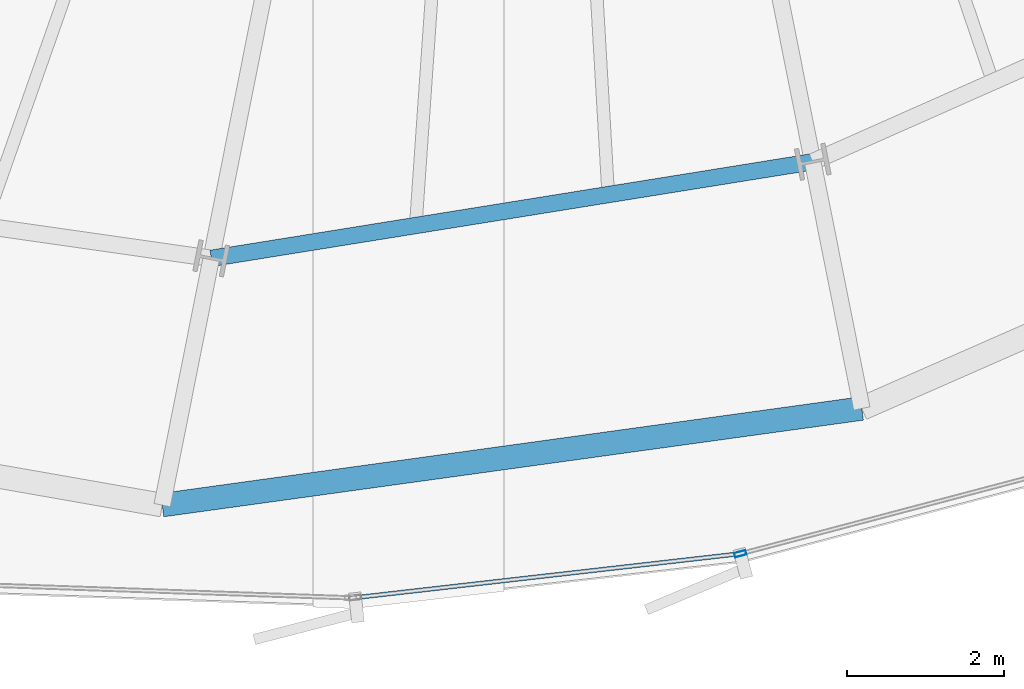
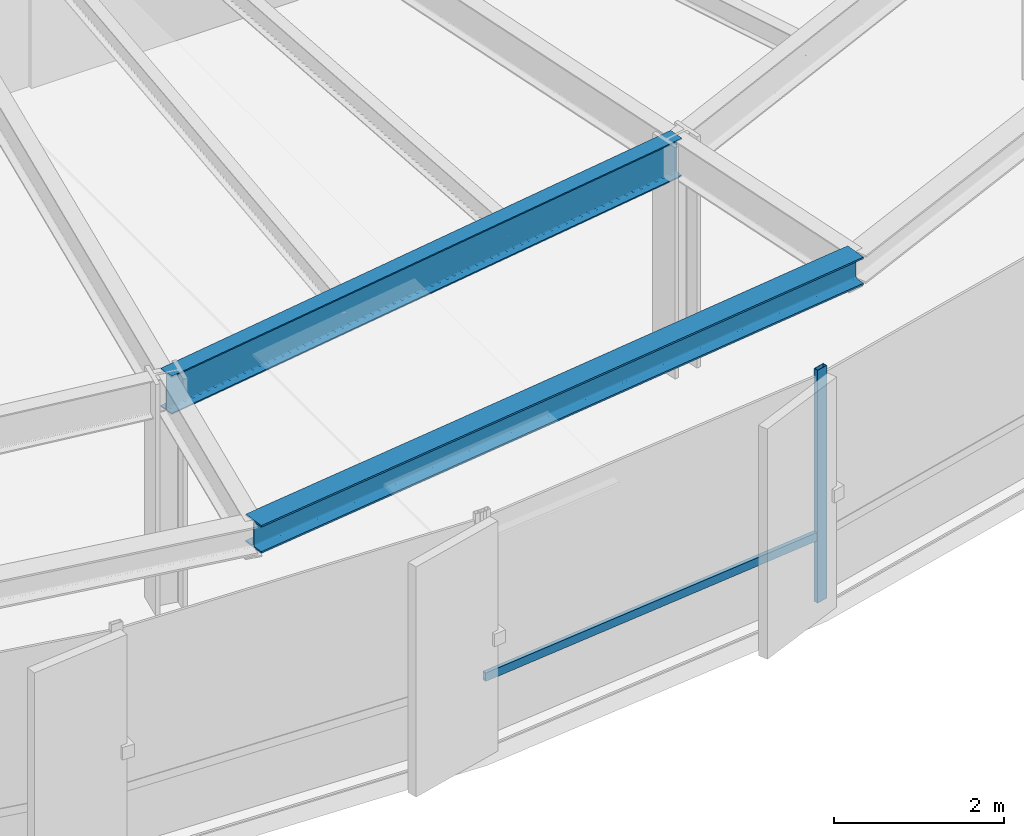
# One storey, part 6 of 33: 2 beams, 2 members, 1 element without a shape of its own.
"""IFC4 building model written with IfcOpenShell, lengths in metres."""

from ifc_helpers import new_model, si_unit, direction, frame, origin, origin_2d, place, context, subcontext, project, spatial, hollow_rectangle, i_section, extrude, source, transform, mapped, material, layer, layer_set, material_profile, profile_set, type_object, element, aggregate, save


model = new_model("IFC4")

# Units and contexts
model_context = context("Model", 3, precision=1e-05, world=origin(), true_north=direction((0.0, 1.0)))
body_context = subcontext(model_context, "Body", "Model", "MODEL_VIEW")
ifc_project = project(units=[si_unit("LENGTHUNIT", "METRE"), si_unit("AREAUNIT", "SQUARE_METRE"), si_unit("VOLUMEUNIT", "CUBIC_METRE"), si_unit("PLANEANGLEUNIT", "RADIAN"), si_unit("MASSUNIT", "GRAM", prefix="KILO"), si_unit("THERMODYNAMICTEMPERATUREUNIT", "KELVIN")], contexts=[model_context])

# Site, building, storey
site_placement = place(None, origin())
site = spatial("IfcSite", under=ifc_project, at=site_placement, CompositionType="ELEMENT")
building_placement = place(site_placement, origin())
building = spatial("IfcBuilding", under=site, at=building_placement, Name="Kethvar Cultural Tower", CompositionType="ELEMENT")
storey_placement = place(building_placement, frame((0.0, 0.0, 110.800048828125)))
storey = spatial("IfcBuildingStorey", under=building, at=storey_placement, Name="L27", CompositionType="ELEMENT", Elevation=110.800048828125)

# Beams
ifc_material_1 = material(Name="Steel S355J2", Category="steel")
ifc_material_profile_1 = material_profile(ifc_material_1, i_section(OverallWidth=0.2099609375, OverallDepth=0.550048828125, WebThickness=0.010986328125, FlangeThickness=0.01708984375, FilletRadius=0.02392578125, at=origin_2d()), Name="Steel S355J2 — IPE550")
ifc_profile_set_1 = profile_set([ifc_material_profile_1], Name="Steel S355J2 — IPE550")
beam_type_1 = type_object("IfcBeamType", Name="BM-IPE550", PredefinedType="BEAM", material=ifc_profile_set_1)
shared_shape_1 = source(origin(), body_context, "Body", "SweptSolid", [
    extrude(i_section(OverallWidth=0.2099609375, OverallDepth=0.550048828125, WebThickness=0.010986328125, FlangeThickness=0.01708984375, FilletRadius=0.02392578125, at=origin_2d()), origin(), (0.0, 0.0, 1.0), 7.749267578125),
])
beam_1_placement = place(storey_placement, frame((42.852294921875, 7.95361328125, 3.072998046875), z_axis=(0.987348257569, 0.158566762831, 0.0), x_axis=(-0.158566762831, 0.987348257569, 0.0)))
element("IfcBeam", 1, at=beam_1_placement, inside=storey, type_object=beam_type_1, Name="L27 Column Ring Tie Beam CR-12", PredefinedType="BEAM", context=body_context, shape_type="MappedRepresentation", body=[
    mapped(shared_shape_1, transform((0.0, 0.0, 0.0), scale=1.0)),
])
ifc_material_profile_2 = material_profile(ifc_material_1, i_section(OverallWidth=0.300048828125, OverallDepth=0.39990234375, WebThickness=0.013427734375, FlangeThickness=0.02392578125, FilletRadius=0.027099609375, at=origin_2d()), Name="Steel S355J2 — HEB400")
ifc_profile_set_2 = profile_set([ifc_material_profile_2], Name="Steel S355J2 — HEB400")
beam_type_2 = type_object("IfcBeamType", Name="BM-SP400", PredefinedType="SPANDREL", material=ifc_profile_set_2)
shared_shape_2 = source(origin(), body_context, "Body", "SweptSolid", [
    extrude(i_section(OverallWidth=0.300048828125, OverallDepth=0.39990234375, WebThickness=0.013427734375, FlangeThickness=0.02392578125, FilletRadius=0.027099609375, at=origin_2d()), origin(), (0.0, 0.0, 1.0), 8.984130859375),
])
beam_2_placement = place(storey_placement, frame((42.22802734375, 4.81494140625, 3.14794921875), z_axis=(0.990602728928, 0.136770733127, 0.0), x_axis=(-0.136770733127, 0.990602728928, 0.0)))
element("IfcBeam", 2, at=beam_2_placement, inside=storey, type_object=beam_type_2, Name="L27 Perimeter Spandrel Beam SP-12", PredefinedType="SPANDREL", context=body_context, shape_type="MappedRepresentation", body=[
    mapped(shared_shape_2, transform((0.0, 0.0, 0.0), scale=1.0)),
])

# Curtain wall, members
ifc_material_2 = material(Name="Aluminium 6063-T6", Category="aluminium")
ifc_layer = layer(ifc_material_2, 0.179931640625, Name="Aluminium 6063-T6", Category="aluminium")
ifc_layer_set = layer_set([ifc_layer], Name="Aluminium 6063-T6 (180 mm)")
curtain_wall_type = type_object("IfcCurtainWallType", Name="CW-SYS-03-Z2", PredefinedType="NOTDEFINED", material=ifc_layer_set)
curtain_wall_placement = place(storey_placement, origin())
curtain_wall = element("IfcCurtainWall", 3, at=curtain_wall_placement, inside=storey, type_object=curtain_wall_type, Name="L27 Curtain Wall Run 05", PredefinedType="NOTDEFINED")
ifc_material_profile_3 = material_profile(ifc_material_2, hollow_rectangle(XDim=0.06005859375, YDim=0.14990234375, WallThickness=0.0048828125, at=origin_2d()), Name="Aluminium 6063-T6 — RHS150x60x5")
ifc_profile_set_3 = profile_set([ifc_material_profile_3], Name="Aluminium 6063-T6 — RHS150x60x5")
member_type_1 = type_object("IfcMemberType", Name="CW-SYS-03-Z2-MUL", PredefinedType="MULLION", material=ifc_profile_set_3)
shared_shape_3 = source(origin(), body_context, "Body", "SweptSolid", [
    extrude(hollow_rectangle(XDim=0.06005859375, YDim=0.14990234375, WallThickness=0.0048828125, at=origin_2d()), origin(), (0.0, 0.0, 1.0), 3.349853515625),
])
member_1_placement = place(storey_placement, frame((49.582275390625, 4.1953125, 0.0), z_axis=(0.0, 0.0, 1.0), x_axis=(-0.255395134831, 0.966836762388, 0.0)))
member_1 = element("IfcMember", 4, at=member_1_placement, type_object=member_type_1, Name="CW-L27-R05 Mullion 2", PredefinedType="MULLION", context=body_context, shape_type="MappedRepresentation", body=[
    mapped(shared_shape_3, transform((0.0, 0.0, 0.0), scale=1.0)),
])
ifc_material_profile_4 = material_profile(ifc_material_2, hollow_rectangle(XDim=0.054931640625, YDim=0.1201171875, WallThickness=0.00390625, at=origin_2d()), Name="Aluminium 6063-T6 — RHS120x55x4")
ifc_profile_set_4 = profile_set([ifc_material_profile_4], Name="Aluminium 6063-T6 — RHS120x55x4")
member_type_2 = type_object("IfcMemberType", Name="CW-SYS-03-Z2-TRN", PredefinedType="USERDEFINED", material=ifc_profile_set_4)
shared_shape_4 = source(origin(), body_context, "Body", "SweptSolid", [
    extrude(hollow_rectangle(XDim=0.054931640625, YDim=0.1201171875, WallThickness=0.00390625, at=origin_2d()), origin(), (0.0, 0.0, 1.0), 4.89892578125),
])
member_2_placement = place(storey_placement, frame((44.688232421875, 3.637939453125, 0.949951171875), z_axis=(0.993546800075, 0.113422908009, 0.0), x_axis=(-0.113422908009, 0.993546800075, 0.0)))
member_2 = element("IfcMember", 5, at=member_2_placement, type_object=member_type_2, Name="CW-L27-R05 Transom 1", ObjectType="TRANSOM", PredefinedType="USERDEFINED", context=body_context, shape_type="MappedRepresentation", body=[
    mapped(shared_shape_4, transform((0.0, 0.0, 0.0), scale=1.0)),
])
aggregate(curtain_wall, [member_1, member_2])

save(model, "model.ifc")
